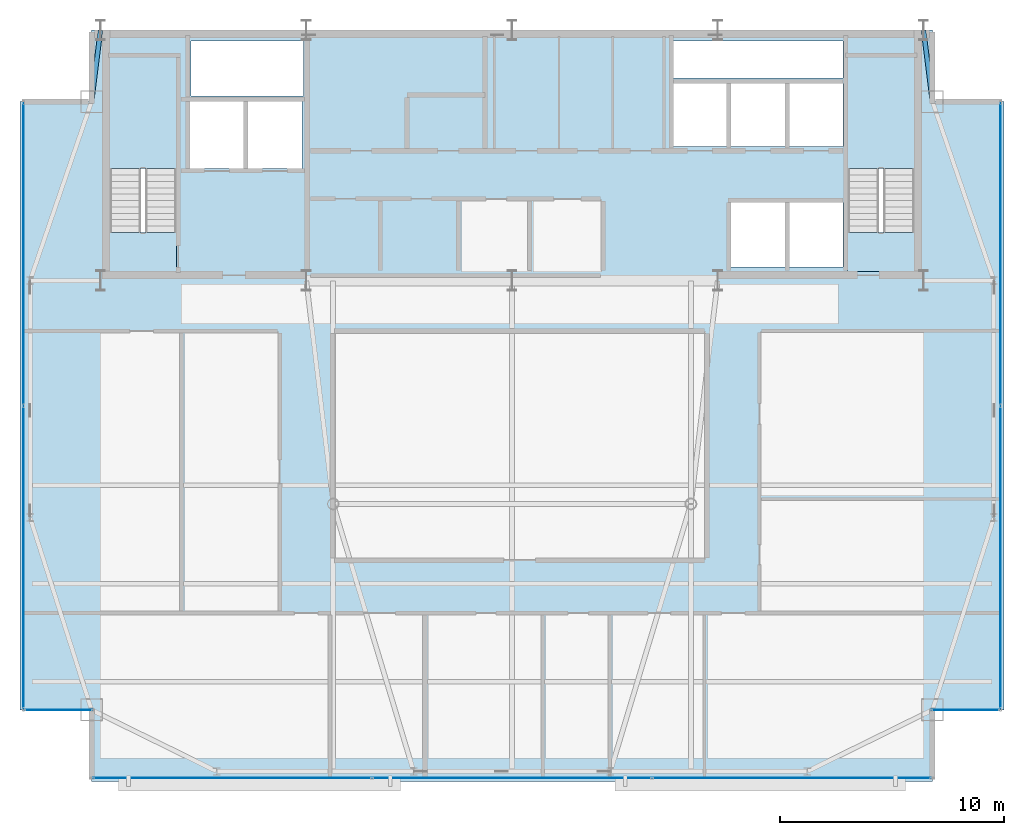
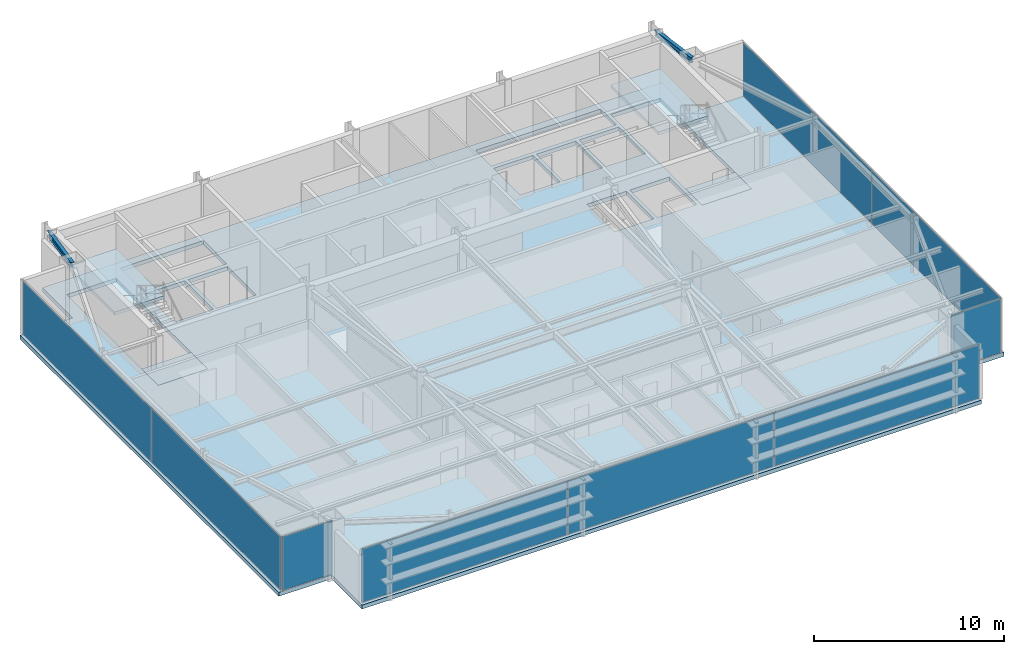
# One storey, part 18 of 24: 9 plates, 5 slabs, 2 beams, 7 elements without a shape of their own.
"""IFC4 building model written with IfcOpenShell, lengths in metres."""

from ifc_helpers import new_model, si_unit, direction, frame, origin, origin_2d, place, context, subcontext, project, spatial, polyline, rectangle, i_section, outline, extrude, source, transform, mapped, material, layer, layer_set, material_profile, profile_set, type_object, type_shapes, element, aggregate, save


model = new_model("IFC4")

# Units and contexts
model_context = context("Model", 3, precision=1e-05, world=origin(), true_north=direction((0.0, 1.0)))
body_context = subcontext(model_context, "Body", "Model", "MODEL_VIEW")
ifc_project = project(units=[si_unit("LENGTHUNIT", "METRE"), si_unit("AREAUNIT", "SQUARE_METRE"), si_unit("VOLUMEUNIT", "CUBIC_METRE"), si_unit("PLANEANGLEUNIT", "RADIAN"), si_unit("MASSUNIT", "GRAM", prefix="KILO")], contexts=[model_context])

# Site, building, storey
site_placement = place(None, origin())
site = spatial("IfcSite", under=ifc_project, at=site_placement, CompositionType="ELEMENT")
building_placement = place(site_placement, origin())
building = spatial("IfcBuilding", under=site, at=building_placement, Name="Varnel Quay Broadcast Tower", CompositionType="ELEMENT")
storey_placement = place(building_placement, frame((0.0, 0.0, 292.60009765625)))
storey = spatial("IfcBuildingStorey", under=building, at=storey_placement, Name="L73", CompositionType="ELEMENT", Elevation=292.60009765625)

# Beams
ifc_material_1 = material(Name="Structural Steel CSA G40.21 350W", Category="steel")
ifc_material_profile = material_profile(ifc_material_1, i_section(OverallWidth=0.205078125, OverallDepth=0.35400390625, WebThickness=0.009521484375, FlangeThickness=0.016845703125, FilletRadius=0.012939453125, at=origin_2d()), Name="W360X79")
ifc_profile_set = profile_set([ifc_material_profile], Name="Structural Steel CSA G40.21 350W")
beam_type = type_object("IfcBeamType", Name="Beam_W360X79", PredefinedType="SPANDREL", material=ifc_profile_set)
shared_shape_1 = source(origin(), body_context, "Body", "SweptSolid", [
    extrude(i_section(OverallWidth=0.205078125, OverallDepth=0.35400390625, WebThickness=0.009521484375, FlangeThickness=0.016845703125, FilletRadius=0.012939453125, at=origin_2d()), origin(), (0.0, 0.0, 1.0), 3.18505859375),
])
type_shapes(beam_type, [shared_shape_1])
for number, where, z_axis, x_axis, name in (
    (1, (15.202392578125, 43.619873046875, 3.372802734375), (0.124025300311, 0.992279055953, 0.0), (-0.992279055953, 0.124025300311, 0.0), "L73 NW Tie Spandrel"),
    (2, (52.402587890625, 46.7802734375, 3.372802734375), (0.124025300311, -0.992279055953, 0.0), (0.992279055953, 0.124025300311, 0.0), "L73 NE Tie Spandrel"),
):
    element("IfcBeam", number, at=place(storey_placement, frame(where, z_axis=z_axis, x_axis=x_axis)), inside=storey, type_object=beam_type, Name=name, PredefinedType="SPANDREL", context=body_context, shape_type="MappedRepresentation", body=[
        mapped(shared_shape_1, transform((0.0, 0.0, 0.0), x_axis=(1.0, 0.0, 0.0), y_axis=(0.0, 1.0, 0.0), z_axis=(0.0, 0.0, 1.0), scale=1.0)),
    ])

# Slabs
ifc_material_2 = material(Name="Concrete CSA A23.3 C50/60", Category="concrete")
ifc_layer_1 = layer(ifc_material_2, 0.25, Name="Concrete CSA A23.3 C50/60")
ifc_layer_set_1 = layer_set([ifc_layer_1], Name="Concrete CSA A23.3 C50/60")
slab_type_1 = type_object("IfcSlabType", Name="Slab_Floor250", PredefinedType="FLOOR", material=ifc_layer_set_1)
slab_1_placement = place(storey_placement, frame((0.0, 0.0, -0.25)))
element("IfcSlab", 3, at=slab_1_placement, inside=storey, type_object=slab_type_1, Name="L73 Structural Slab", PredefinedType="FLOOR", context=body_context, shape_type="SweptSolid", body=[
    extrude(outline(polyline([(15.199951171875, 13.199951171875), (52.800048828125, 13.199951171875), (52.800048828125, 16.39990234375), (56.0, 16.39990234375), (56.0, 43.60009765625), (52.800048828125, 43.60009765625), (52.800048828125, 46.800048828125), (15.199951171875, 46.800048828125), (15.199951171875, 43.60009765625), (12.0, 43.60009765625), (12.0, 16.39990234375), (15.199951171875, 16.39990234375), (15.199951171875, 13.199951171875)]), holes=[polyline([(19.0, 36.0), (16.0, 36.0), (16.0, 45.60009765625), (19.0, 45.60009765625), (19.0, 36.0)]), polyline([(19.60009765625, 40.60009765625), (19.60009765625, 43.60009765625), (22.0, 43.60009765625), (22.0, 40.60009765625), (19.60009765625, 40.60009765625)]), polyline([(22.199951171875, 40.60009765625), (22.199951171875, 43.60009765625), (24.60009765625, 43.60009765625), (24.60009765625, 40.60009765625), (22.199951171875, 40.60009765625)]), polyline([(41.199951171875, 44.39990234375), (43.60009765625, 44.39990234375), (43.60009765625, 41.60009765625), (41.199951171875, 41.60009765625), (41.199951171875, 44.39990234375)]), polyline([(43.800048828125, 44.39990234375), (46.199951171875, 44.39990234375), (46.199951171875, 41.60009765625), (43.800048828125, 41.60009765625), (43.800048828125, 44.39990234375)]), polyline([(19.64990234375, 43.85009765625), (19.64990234375, 46.300048828125), (24.679931640625, 46.300048828125), (24.679931640625, 43.85009765625), (19.64990234375, 43.85009765625)]), polyline([(43.800048828125, 39.10009765625), (46.199951171875, 39.10009765625), (46.199951171875, 36.199951171875), (43.800048828125, 36.199951171875), (43.800048828125, 39.10009765625)]), polyline([(46.39990234375, 39.10009765625), (48.800048828125, 39.10009765625), (48.800048828125, 36.199951171875), (46.39990234375, 36.199951171875), (46.39990234375, 39.10009765625)]), polyline([(52.0, 36.0), (49.0, 36.0), (49.0, 45.60009765625), (52.0, 45.60009765625), (52.0, 36.0)]), polyline([(46.39990234375, 44.39990234375), (48.800048828125, 44.39990234375), (48.800048828125, 41.60009765625), (46.39990234375, 41.60009765625), (46.39990234375, 44.39990234375)]), polyline([(41.199951171875, 46.300048828125), (48.800048828125, 46.300048828125), (48.800048828125, 44.64990234375), (41.199951171875, 44.64990234375), (41.199951171875, 46.300048828125)])]), origin(), (0.0, 0.0, 1.0), 0.25),
])
ifc_layer_2 = layer(ifc_material_2, 0.25, Name="Concrete CSA A23.3 C50/60")
ifc_layer_set_2 = layer_set([ifc_layer_2], Name="Concrete CSA A23.3 C50/60")
slab_type_2 = type_object("IfcSlabType", Name="Slab_StairFloorLanding250", PredefinedType="FLOOR", material=ifc_layer_set_2)
slab_2_placement = place(storey_placement, frame((0.0, 0.0, -0.25)))
element("IfcSlab", 4, at=slab_2_placement, inside=storey, type_object=slab_type_2, Name="L73 ST-01 Structural Floor Landing Slab", PredefinedType="FLOOR", context=body_context, shape_type="SweptSolid", body=[
    extrude(outline(polyline([(19.0, 36.0), (19.0, 37.75), (16.0, 37.75), (16.0, 36.0), (19.0, 36.0)])), origin(), (0.0, 0.0, 1.0), 0.25),
])
slab_3_placement = place(storey_placement, frame((0.0, 0.0, -0.25)))
element("IfcSlab", 5, at=slab_3_placement, inside=storey, type_object=slab_type_2, Name="L73 ST-02 Structural Floor Landing Slab", PredefinedType="FLOOR", context=body_context, shape_type="SweptSolid", body=[
    extrude(outline(polyline([(52.0, 36.0), (52.0, 37.75), (49.0, 37.75), (49.0, 36.0), (52.0, 36.0)])), origin(), (0.0, 0.0, 1.0), 0.25),
])

# Stair, slab
ifc_material_3 = material(Name="Precast Structural Concrete C40/50", Category="concrete")
stair_type_1 = type_object("IfcStairType", Name="Stair_ST-01", PredefinedType="HALF_TURN_STAIR", material=ifc_material_3)
stair_1_placement = place(storey_placement, origin())
stair_1 = element("IfcStair", 6, at=stair_1_placement, inside=storey, type_object=stair_type_1, Name="L73 West Core Exit Stair 1", PredefinedType="HALF_TURN_STAIR")
ifc_layer_3 = layer(ifc_material_3, 0.199951171875, Name="Precast Structural Concrete C40/50")
ifc_layer_set_3 = layer_set([ifc_layer_3], Name="Precast Structural Concrete C40/50")
slab_type_3 = type_object("IfcSlabType", Name="Slab_StairLanding200", PredefinedType="LANDING", material=ifc_layer_set_3)
slab_4_placement = place(storey_placement, frame((0.0, 0.0, 1.699951171875)))
slab_4 = element("IfcSlab", 7, at=slab_4_placement, type_object=slab_type_3, Name="ST-01 landing 1", PredefinedType="LANDING", context=body_context, shape_type="SweptSolid", body=[
    extrude(outline(polyline([(19.0, 40.60009765625), (19.0, 45.60009765625), (16.0, 45.60009765625), (16.0, 40.60009765625), (19.0, 40.60009765625)])), origin(), (0.0, 0.0, 1.0), 0.199951171875),
])
aggregate(stair_1, [slab_4])

stair_type_2 = type_object("IfcStairType", Name="Stair_ST-02", PredefinedType="HALF_TURN_STAIR", material=ifc_material_3)
stair_2_placement = place(storey_placement, origin())
stair_2 = element("IfcStair", 8, at=stair_2_placement, inside=storey, type_object=stair_type_2, Name="L73 East Core Exit Stair 2", PredefinedType="HALF_TURN_STAIR")
slab_5_placement = place(storey_placement, frame((0.0, 0.0, 1.699951171875)))
slab_5 = element("IfcSlab", 9, at=slab_5_placement, type_object=slab_type_3, Name="ST-02 landing 1", PredefinedType="LANDING", context=body_context, shape_type="SweptSolid", body=[
    extrude(outline(polyline([(52.0, 40.60009765625), (52.0, 45.60009765625), (49.0, 45.60009765625), (49.0, 40.60009765625), (52.0, 40.60009765625)])), origin(), (0.0, 0.0, 1.0), 0.199951171875),
])
aggregate(stair_2, [slab_5])

# Curtain wall, plates
ifc_material_4 = material(Name="Anodised Bronze Aluminium 6063-T6", Category="aluminium")
ifc_layer_4 = layer(ifc_material_4, 0.18994140625, Name="Anodised Bronze Aluminium 6063-T6")
ifc_layer_set_4 = layer_set([ifc_layer_4], Name="Anodised Bronze Aluminium 6063-T6")
curtain_wall_type_1 = type_object("IfcCurtainWallType", Name="CW_UpperTower", PredefinedType="NOTDEFINED", material=ifc_layer_set_4)
curtain_wall_1_placement = place(storey_placement, origin())
curtain_wall_1 = element("IfcCurtainWall", 10, at=curtain_wall_1_placement, inside=storey, type_object=curtain_wall_type_1, Name="L73 West Unitised Curtain Wall", PredefinedType="NOTDEFINED")
ifc_material_5 = material(Name="Insulated Bronze Spandrel Glass", Category="glass")
ifc_layer_5 = layer(ifc_material_5, 0.030029296875, Name="Insulated Bronze Spandrel Glass")
ifc_layer_set_5 = layer_set([ifc_layer_5], Name="Insulated Bronze Spandrel Glass")
plate_type_1 = type_object("IfcPlateType", Name="PanelSp_CWS-03", PredefinedType="CURTAIN_PANEL", material=ifc_layer_set_5)
shared_shape_2 = source(origin(), body_context, "Body", "SweptSolid", [
    extrude(rectangle(XDim=13.50244140625, YDim=0.030029296875, at=origin_2d()), origin(), (0.0, 0.0, 1.0), 3.429931640625),
])
plate_1_placement = place(storey_placement, frame((12.14990234375, 23.21630859375, 0.06005859375), z_axis=(0.0, 0.0, 1.0), x_axis=(0.0, 1.0, 0.0)))
plate_1 = element("IfcPlate", 11, at=plate_1_placement, type_object=plate_type_1, Name="CWS-03 panel 1.1", PredefinedType="CURTAIN_PANEL", context=body_context, shape_type="MappedRepresentation", body=[
    mapped(shared_shape_2, transform((0.0, 0.0, 0.0), x_axis=(1.0, 0.0, 0.0), y_axis=(0.0, 1.0, 0.0), z_axis=(0.0, 0.0, 1.0), scale=1.0)),
])
plate_2_placement = place(storey_placement, frame((12.14990234375, 36.78369140625, 0.06005859375), z_axis=(0.0, 0.0, 1.0), x_axis=(0.0, 1.0, 0.0)))
plate_2 = element("IfcPlate", 12, at=plate_2_placement, type_object=plate_type_1, Name="CWS-03 panel 2.1", PredefinedType="CURTAIN_PANEL", context=body_context, shape_type="MappedRepresentation", body=[
    mapped(shared_shape_2, transform((0.0, 0.0, 0.0), x_axis=(1.0, 0.0, 0.0), y_axis=(0.0, 1.0, 0.0), z_axis=(0.0, 0.0, 1.0), scale=1.0)),
])
aggregate(curtain_wall_1, [plate_1, plate_2])

curtain_wall_2_placement = place(storey_placement, origin())
curtain_wall_2 = element("IfcCurtainWall", 13, at=curtain_wall_2_placement, inside=storey, type_object=curtain_wall_type_1, Name="L73 East Unitised Curtain Wall", PredefinedType="NOTDEFINED")
plate_3_placement = place(storey_placement, frame((55.85009765625, 23.21630859375, 0.06005859375), z_axis=(0.0, 0.0, 1.0), x_axis=(0.0, 1.0, 0.0)))
plate_3 = element("IfcPlate", 14, at=plate_3_placement, type_object=plate_type_1, Name="CWS-03 panel 1.1", PredefinedType="CURTAIN_PANEL", context=body_context, shape_type="MappedRepresentation", body=[
    mapped(shared_shape_2, transform((0.0, 0.0, 0.0), x_axis=(1.0, 0.0, 0.0), y_axis=(0.0, 1.0, 0.0), z_axis=(0.0, 0.0, 1.0), scale=1.0)),
])
plate_4_placement = place(storey_placement, frame((55.85009765625, 36.78369140625, 0.06005859375), z_axis=(0.0, 0.0, 1.0), x_axis=(0.0, 1.0, 0.0)))
plate_4 = element("IfcPlate", 15, at=plate_4_placement, type_object=plate_type_1, Name="CWS-03 panel 2.1", PredefinedType="CURTAIN_PANEL", context=body_context, shape_type="MappedRepresentation", body=[
    mapped(shared_shape_2, transform((0.0, 0.0, 0.0), x_axis=(1.0, 0.0, 0.0), y_axis=(0.0, 1.0, 0.0), z_axis=(0.0, 0.0, 1.0), scale=1.0)),
])
aggregate(curtain_wall_2, [plate_3, plate_4])

# Curtain wall, plate
ifc_layer_6 = layer(ifc_material_4, 0.18994140625, Name="Anodised Bronze Aluminium 6063-T6")
ifc_layer_set_6 = layer_set([ifc_layer_6], Name="Anodised Bronze Aluminium 6063-T6")
curtain_wall_type_2 = type_object("IfcCurtainWallType", Name="CW_NotchCorner", PredefinedType="NOTDEFINED", material=ifc_layer_set_6)
curtain_wall_3_placement = place(storey_placement, origin())
curtain_wall_3 = element("IfcCurtainWall", 16, at=curtain_wall_3_placement, inside=storey, type_object=curtain_wall_type_2, Name="L73 SW Notch Curtain Wall", PredefinedType="NOTDEFINED")
ifc_material_6 = material(Name="Triple-Glazed Bronze Low-E Architectural Glass", Category="glass")
ifc_layer_7 = layer(ifc_material_6, 0.028076171875, Name="Triple-Glazed Bronze Low-E Architectural Glass")
ifc_layer_set_7 = layer_set([ifc_layer_7], Name="Triple-Glazed Bronze Low-E Architectural Glass")
plate_type_2 = type_object("IfcPlateType", Name="Panel_CWS-04", PredefinedType="CURTAIN_PANEL", material=ifc_layer_set_7)
shared_shape_3 = source(origin(), body_context, "Body", "SweptSolid", [
    extrude(rectangle(XDim=3.010009765625, YDim=0.028076171875, at=origin_2d()), origin(), (0.0, 0.0, 1.0), 3.43994140625),
])
type_shapes(plate_type_2, [shared_shape_3])
plate_5_placement = place(storey_placement, frame((13.715087890625, 16.39990234375, 0.054931640625), z_axis=(0.0, 0.0, 1.0), x_axis=(1.0, 0.0, 0.0)))
plate_5 = element("IfcPlate", 17, at=plate_5_placement, type_object=plate_type_2, Name="CWS-04 panel 1.1", PredefinedType="CURTAIN_PANEL", context=body_context, shape_type="MappedRepresentation", body=[
    mapped(shared_shape_3, transform((0.0, 0.0, 0.0), x_axis=(1.0, 0.0, 0.0), y_axis=(0.0, 1.0, 0.0), z_axis=(0.0, 0.0, 1.0), scale=1.0)),
])
aggregate(curtain_wall_3, [plate_5])

curtain_wall_4_placement = place(storey_placement, origin())
curtain_wall_4 = element("IfcCurtainWall", 18, at=curtain_wall_4_placement, inside=storey, type_object=curtain_wall_type_2, Name="L73 SE Notch Curtain Wall", PredefinedType="NOTDEFINED")
plate_6_placement = place(storey_placement, frame((54.284912109375, 16.39990234375, 0.054931640625), z_axis=(0.0, 0.0, 1.0), x_axis=(1.0, 0.0, 0.0)))
plate_6 = element("IfcPlate", 19, at=plate_6_placement, type_object=plate_type_2, Name="CWS-04 panel 1.1", PredefinedType="CURTAIN_PANEL", context=body_context, shape_type="MappedRepresentation", body=[
    mapped(shared_shape_3, transform((0.0, 0.0, 0.0), x_axis=(1.0, 0.0, 0.0), y_axis=(0.0, 1.0, 0.0), z_axis=(0.0, 0.0, 1.0), scale=1.0)),
])
aggregate(curtain_wall_4, [plate_6])

# Curtain wall, plates
curtain_wall_5_placement = place(storey_placement, origin())
curtain_wall_5 = element("IfcCurtainWall", 20, at=curtain_wall_5_placement, inside=storey, type_object=curtain_wall_type_1, Name="L73 South Unitised Curtain Wall 1", PredefinedType="NOTDEFINED")
ifc_layer_8 = layer(ifc_material_6, 0.030029296875, Name="Triple-Glazed Bronze Low-E Architectural Glass")
ifc_layer_set_8 = layer_set([ifc_layer_8], Name="Triple-Glazed Bronze Low-E Architectural Glass")
plate_type_3 = type_object("IfcPlateType", Name="Panel_CWS-03", PredefinedType="CURTAIN_PANEL", material=ifc_layer_set_8)
shared_shape_4 = source(origin(), body_context, "Body", "SweptSolid", [
    extrude(rectangle(XDim=12.435791015625, YDim=0.030029296875, at=origin_2d()), origin(), (0.0, 0.0, 1.0), 3.429931640625),
])
type_shapes(plate_type_3, [shared_shape_4])
plate_7_placement = place(storey_placement, frame((21.48291015625, 13.35009765625, 0.06005859375), z_axis=(0.0, 0.0, 1.0), x_axis=(1.0, 0.0, 0.0)))
plate_7 = element("IfcPlate", 21, at=plate_7_placement, type_object=plate_type_3, Name="CWS-03 panel 1.1", PredefinedType="CURTAIN_PANEL", context=body_context, shape_type="MappedRepresentation", body=[
    mapped(shared_shape_4, transform((0.0, 0.0, 0.0), x_axis=(1.0, 0.0, 0.0), y_axis=(0.0, 1.0, 0.0), z_axis=(0.0, 0.0, 1.0), scale=1.0)),
])
plate_8_placement = place(storey_placement, frame((46.51708984375, 13.35009765625, 0.06005859375), z_axis=(0.0, 0.0, 1.0), x_axis=(1.0, 0.0, 0.0)))
plate_8 = element("IfcPlate", 22, at=plate_8_placement, type_object=plate_type_3, Name="CWS-03 panel 3.1", PredefinedType="CURTAIN_PANEL", context=body_context, shape_type="MappedRepresentation", body=[
    mapped(shared_shape_4, transform((0.0, 0.0, 0.0), x_axis=(1.0, 0.0, 0.0), y_axis=(0.0, 1.0, 0.0), z_axis=(0.0, 0.0, 1.0), scale=1.0)),
])
shared_shape_5 = source(origin(), body_context, "Body", "SweptSolid", [
    extrude(rectangle(XDim=12.46826171875, YDim=0.030029296875, at=origin_2d()), origin(), (0.0, 0.0, 1.0), 3.429931640625),
])
type_shapes(plate_type_1, [shared_shape_2, shared_shape_5])
plate_9_placement = place(storey_placement, frame((34.0, 13.35009765625, 0.06005859375), z_axis=(0.0, 0.0, 1.0), x_axis=(1.0, 0.0, 0.0)))
plate_9 = element("IfcPlate", 23, at=plate_9_placement, type_object=plate_type_1, Name="CWS-03 panel 2.1", PredefinedType="CURTAIN_PANEL", context=body_context, shape_type="MappedRepresentation", body=[
    mapped(shared_shape_5, transform((0.0, 0.0, 0.0), x_axis=(1.0, 0.0, 0.0), y_axis=(0.0, 1.0, 0.0), z_axis=(0.0, 0.0, 1.0), scale=1.0)),
])
aggregate(curtain_wall_5, [plate_7, plate_9, plate_8])

save(model, "model.ifc")
